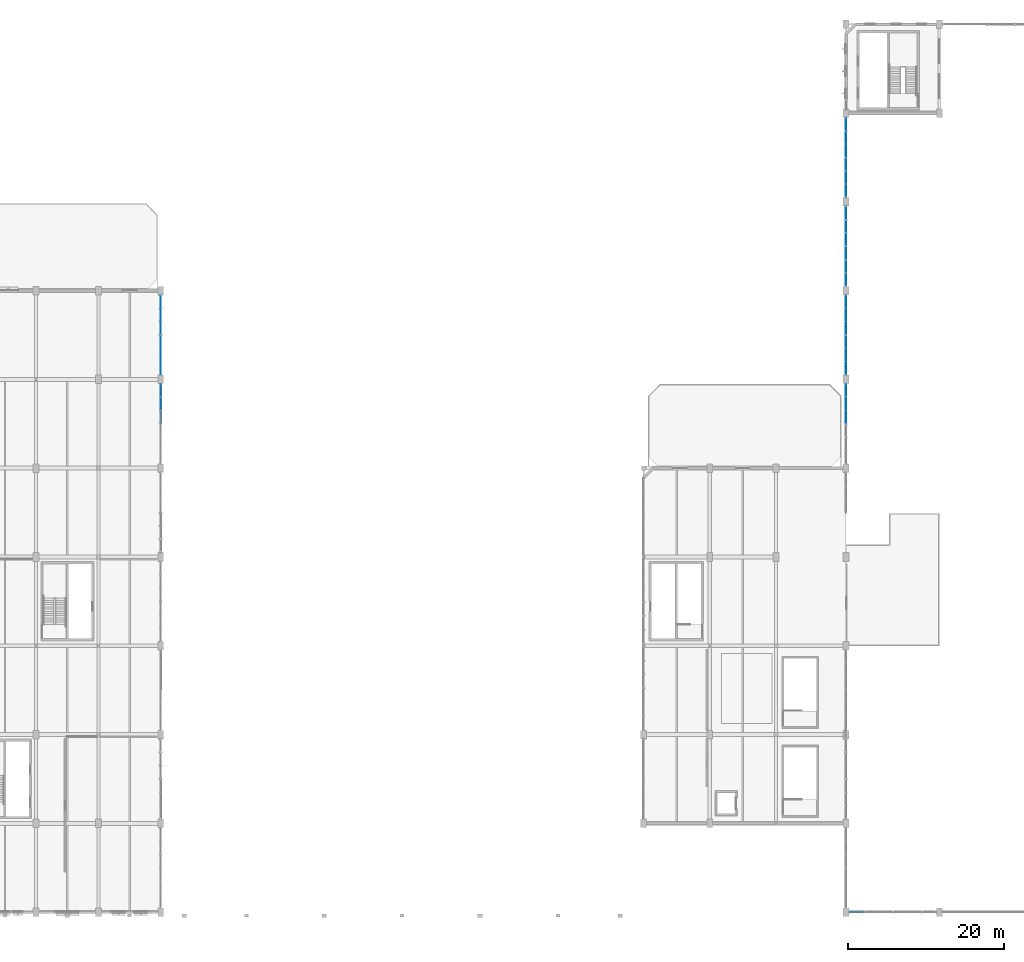
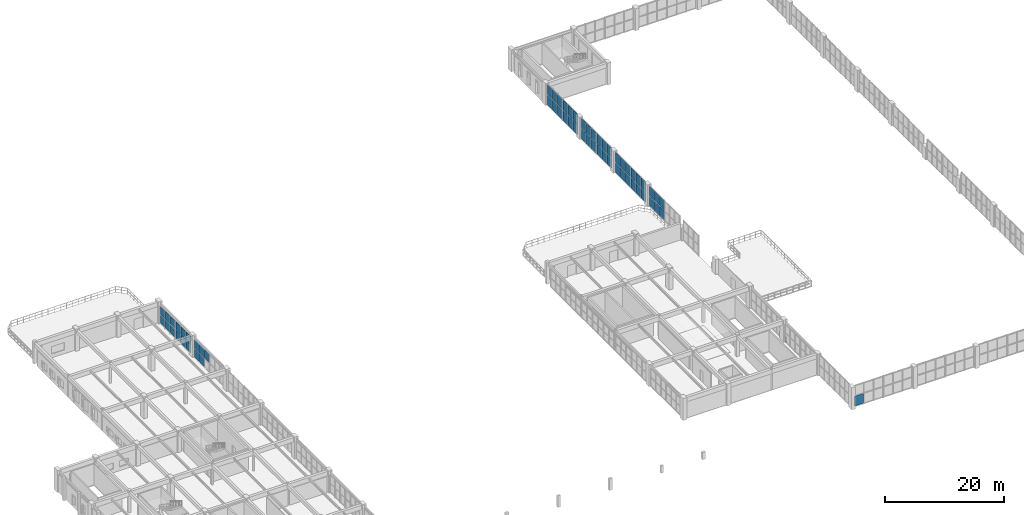
# One storey, part 57 of 80: 60 plates, 11 elements without a shape of their own.
"""IFC4 building model written with IfcOpenShell, lengths in metres."""

import ifcopenshell
import ifcopenshell.guid

model = None  # the IFC model being written
_history = None  # IfcOwnerHistory: only IFC2X3 demands one
_inside = {}  # id of a spatial element -> (the spatial element, [elements in it])
_under = {}  # id of a project, library or spatial element -> (it, [spatial elements below it])
_declared = {}  # id of a project -> (the project, [libraries it declares])
_typed = {}  # id of a type object -> (the type object, [elements of that type])
_made_of = {}  # id of a material, layer set ... -> (it, [elements and type objects made of it])


def new_model(schema):
    """Start an empty IFC model of exactly this schema.

    Asked for "IFC4X3", IfcOpenShell would pick the latest addendum, in which some entities
    have other attributes; the version numbers below select the first issue.
    IFC2X3 requires an IfcOwnerHistory on every rooted entity: one is made here for all.
    """
    global model, _history
    if schema == "IFC4X3":
        model = ifcopenshell.file(schema_version=(4, 3, 0, 0))
    else:
        model = ifcopenshell.file(schema=schema)
    _inside.clear()
    _under.clear()
    _declared.clear()
    _typed.clear()
    _made_of.clear()
    _history = None
    if model.schema == "IFC2X3":
        org = make("IfcOrganization", Name="unknown")
        user = make(
            "IfcPersonAndOrganization",
            ThePerson=make("IfcPerson", FamilyName="unknown"),
            TheOrganization=org,
        )
        app = make(
            "IfcApplication",
            ApplicationDeveloper=org,
            Version="unknown",
            ApplicationFullName="unknown",
            ApplicationIdentifier="unknown",
        )
        _history = make(
            "IfcOwnerHistory",
            OwningUser=user,
            OwningApplication=app,
            ChangeAction="ADDED",
            CreationDate=0,
        )
    return model


def make(cls, **values):
    """One entity of the class cls with the attributes given. An attribute that is None is left unset."""
    return model.create_entity(
        cls, **{name: value for name, value in values.items() if value is not None}
    )


def rooted(cls, **values):
    """An entity with a GlobalId (a new one), such as an element, a storey or a relation."""
    return make(cls, GlobalId=ifcopenshell.guid.new(), OwnerHistory=_history, **values)


def si_unit(unit_type, name, prefix=None):
    """IfcSIUnit, for example si_unit("LENGTHUNIT", "METRE", prefix="MILLI")."""
    return make("IfcSIUnit", UnitType=unit_type, Prefix=prefix, Name=name)


def assignment(units):
    """IfcUnitAssignment: the units of a project."""
    return None if units is None else make("IfcUnitAssignment", Units=units)


def point(xyz):
    """IfcCartesianPoint."""
    return None if xyz is None else make("IfcCartesianPoint", Coordinates=xyz)


def direction(xyz):
    """IfcDirection."""
    return None if xyz is None else make("IfcDirection", DirectionRatios=xyz)


def frame(location, z_axis=None, x_axis=None):
    """IfcAxis2Placement3D, a coordinate frame: its origin and axes. An axis left out is left unset."""
    return make(
        "IfcAxis2Placement3D",
        Location=point(location),
        Axis=direction(z_axis),
        RefDirection=direction(x_axis),
    )


def frame_2d(location, x_axis=None):
    """IfcAxis2Placement2D, a coordinate frame in the plane: its origin and x axis."""
    return make(
        "IfcAxis2Placement2D", Location=point(location), RefDirection=direction(x_axis)
    )


def origin():
    """The frame at (0, 0, 0) with its axes left unset."""
    return frame((0.0, 0.0, 0.0))


def origin_2d():
    """The frame at (0, 0) in the plane with its x axis left unset."""
    return frame_2d((0.0, 0.0))


def place(relative_to, where):
    """IfcLocalPlacement: puts the frame where relative to a parent placement (None: the world)."""
    return make(
        "IfcLocalPlacement", PlacementRelTo=relative_to, RelativePlacement=where
    )


def context(
    kind, dimensions, precision=None, world=None, true_north=None, identifier=None
):
    """IfcGeometricRepresentationContext, for example the 3D "Model" context."""
    return make(
        "IfcGeometricRepresentationContext",
        ContextIdentifier=identifier,
        ContextType=kind,
        CoordinateSpaceDimension=dimensions,
        Precision=precision,
        WorldCoordinateSystem=world,
        TrueNorth=true_north,
    )


def subcontext(parent, identifier, kind, view, scale=None):
    """IfcGeometricRepresentationSubContext, for example "Body" below "Model"."""
    return make(
        "IfcGeometricRepresentationSubContext",
        ContextIdentifier=identifier,
        ContextType=kind,
        ParentContext=parent,
        TargetScale=scale,
        TargetView=view,
    )


def project(units=None, contexts=None):
    """IfcProject with its units and contexts."""
    return rooted(
        "IfcProject",
        Name="project",
        RepresentationContexts=contexts,
        UnitsInContext=assignment(units),
    )


def spatial(cls, under=None, at=None, **own):
    """A site, building, storey or space (cls), placed at a placement, below another one or the project."""
    s = rooted(cls, ObjectPlacement=at, **own)
    if under is not None:
        _under.setdefault(under.id(), (under, []))[1].append(s)
    return s


def profile(cls, at=None, kind="AREA", **sizes):
    """A parametric profile (cls). Its sizes go by their IFC names, for example OverallWidth=200.0."""
    return make(cls, ProfileType=kind, Position=at, **sizes)


def rectangle(**sizes):
    """IfcRectangleProfileDef."""
    return profile("IfcRectangleProfileDef", **sizes)


def extrude(swept, where, along, depth):
    """IfcExtrudedAreaSolid: the profile swept, set in the frame where, extruded along a direction by depth."""
    return make(
        "IfcExtrudedAreaSolid",
        SweptArea=swept,
        Position=where,
        ExtrudedDirection=direction(along),
        Depth=depth,
    )


def shape(context_of_items, identifier, shape_type, items):
    """IfcShapeRepresentation: the items that make up one representation, for example the "Body"."""
    return make(
        "IfcShapeRepresentation",
        ContextOfItems=context_of_items,
        RepresentationIdentifier=identifier,
        RepresentationType=shape_type,
        Items=items,
    )


def material(Name=None, Category=None):
    """IfcMaterial."""
    return make("IfcMaterial", Name=Name, Category=Category)


def layer(
    of_material, thickness, ventilated=None, Name=None, Category=None, Priority=None
):
    """IfcMaterialLayer: one layer of a wall or slab, of a material (None: an air gap)."""
    return make(
        "IfcMaterialLayer",
        Material=of_material,
        LayerThickness=thickness,
        IsVentilated=ventilated,
        Name=Name,
        Category=Category,
        Priority=Priority,
    )


def layer_set(layers, Name=None):
    """IfcMaterialLayerSet."""
    return make("IfcMaterialLayerSet", MaterialLayers=layers, LayerSetName=Name)


def made_of(thing, what):
    """Note that an element or type object is made of a material, layer set ...; save() writes the relation."""
    if what is not None:
        _made_of.setdefault(what.id(), (what, []))[1].append(thing)
    return thing


def type_object(cls, material=None, **own):
    """A type object (cls), such as IfcWallType, which elements share."""
    return made_of(rooted(cls, **own), material)


def element(
    cls,
    number,
    at=None,
    inside=None,
    cuts=None,
    type_object=None,
    material=None,
    context=None,
    identifier="Body",
    shape_type=None,
    held_by="IfcProductDefinitionShape",
    body=None,
    shapes=None,
    **own,
):
    """One element of the class cls, such as IfcWall. Its Tag is "e" and its number.

    at: its placement. inside: the storey or other place that contains it. cuts: it is an
    opening in that element (IfcRelVoidsElement). A single representation is given by context,
    identifier, shape_type and body (its items); several are given by shapes. held_by: the class
    of the entity that holds the representations. save() writes the other relations.
    """
    e = rooted(cls, Tag="e%d" % number, ObjectPlacement=at, **own)
    if body is not None:
        shapes = [shape(context, identifier, shape_type, body)]
    if shapes is not None:
        e.Representation = make(held_by, Representations=shapes)
    if inside is not None:
        _inside.setdefault(inside.id(), (inside, []))[1].append(e)
    if cuts is not None:
        rooted(
            "IfcRelVoidsElement", RelatingBuildingElement=cuts, RelatedOpeningElement=e
        )
    if type_object is not None:
        _typed.setdefault(type_object.id(), (type_object, []))[1].append(e)
    return made_of(e, material)


def aggregate(whole, parts):
    """IfcRelAggregates: a whole, such as a stair, and the parts it consists of."""
    return rooted("IfcRelAggregates", RelatingObject=whole, RelatedObjects=parts)


def save(model, path):
    """Write the relations noted so far, then the file.

    IfcRelAggregates (storeys below a building ...), IfcRelContainedInSpatialStructure (elements
    in a storey), IfcRelDefinesByType, IfcRelAssociatesMaterial and IfcRelDeclares: one each for
    every whole, place, type object, material and project.
    """
    for whole, parts in _under.values():
        aggregate(whole, parts)
    for where, things in _inside.values():
        rooted(
            "IfcRelContainedInSpatialStructure",
            RelatedElements=things,
            RelatingStructure=where,
        )
    for kind, things in _typed.values():
        rooted("IfcRelDefinesByType", RelatedObjects=things, RelatingType=kind)
    for what, things in _made_of.values():
        rooted("IfcRelAssociatesMaterial", RelatedObjects=things, RelatingMaterial=what)
    for by, libraries in _declared.values():
        rooted("IfcRelDeclares", RelatingContext=by, RelatedDefinitions=libraries)
    model.write(path)


model = new_model("IFC4")

# Units and contexts
model_context = context("Model", 3, precision=1e-05, world=origin(), true_north=direction((0.0, 1.0)))
body_context = subcontext(model_context, "Body", "Model", "MODEL_VIEW")
ifc_project = project(units=[si_unit("LENGTHUNIT", "METRE"), si_unit("AREAUNIT", "SQUARE_METRE"), si_unit("VOLUMEUNIT", "CUBIC_METRE"), si_unit("PLANEANGLEUNIT", "RADIAN"), si_unit("MASSUNIT", "GRAM", prefix="KILO"), si_unit("POWERUNIT", "WATT"), si_unit("THERMODYNAMICTEMPERATUREUNIT", "KELVIN")], contexts=[model_context])

# Site, building, storey
site_placement = place(None, origin())
site = spatial("IfcSite", under=ifc_project, at=site_placement, CompositionType="ELEMENT")
building_placement = place(site_placement, origin())
building = spatial("IfcBuilding", under=site, at=building_placement, Name="Kelmbourne Parkland Aquatics Centre", CompositionType="ELEMENT")
storey_placement = place(building_placement, frame((0.0, 0.0, 10.199951171875)))
storey = spatial("IfcBuildingStorey", under=building, at=storey_placement, Name="L02", CompositionType="ELEMENT", Elevation=10.199951171875)

# Curtain wall, plates
ifc_material_1 = material(Name="Thermally broken anodised aluminium framing", Category="aluminium")
ifc_layer_1 = layer(ifc_material_1, 0.179931640625)
ifc_layer_set_1 = layer_set([ifc_layer_1], Name="Thermally broken anodised aluminium framing")
curtain_wall_type_1 = type_object("IfcCurtainWallType", Name="CW-08", PredefinedType="NOTDEFINED", material=ifc_layer_set_1)
curtain_wall_1_placement = place(storey_placement, origin())
curtain_wall_1 = element("IfcCurtainWall", 1, at=curtain_wall_1_placement, inside=storey, type_object=curtain_wall_type_1, Name="Wave-hall clerestory curtain wall CW-L02-056", PredefinedType="NOTDEFINED")
ifc_material_2 = material(Name="Double-glazed low-e laminated safety glass", Category="glass")
ifc_layer_2 = layer(ifc_material_2, 0.0419921875)
ifc_layer_set_2 = layer_set([ifc_layer_2], Name="Double-glazed low-e laminated safety glass")
plate_type_1 = type_object("IfcPlateType", Name="PL-CLR-1", PredefinedType="USERDEFINED", material=ifc_layer_set_2)
plate_1_placement = place(storey_placement, frame((128.0, 64.383056640625, 2.30908203125), z_axis=(0.0, 0.0, 1.0), x_axis=(0.0, 1.0, 0.0)))
plate_1 = element("IfcPlate", 2, at=plate_1_placement, type_object=plate_type_1, Name="CW-L02-056 clerestory glazing 1-0", ObjectType="CLERESTORY GLAZING", PredefinedType="USERDEFINED", context=body_context, shape_type="SweptSolid", body=[
    extrude(rectangle(XDim=1.6279296875, YDim=0.0419921875, at=origin_2d()), origin(), (0.0, 0.0, 1.0), 1.964111328125),
])
plate_2_placement = place(storey_placement, frame((128.0, 66.073974609375, 2.30908203125), z_axis=(0.0, 0.0, 1.0), x_axis=(0.0, 1.0, 0.0)))
plate_2 = element("IfcPlate", 3, at=plate_2_placement, type_object=plate_type_1, Name="CW-L02-056 clerestory glazing 1-1", ObjectType="CLERESTORY GLAZING", PredefinedType="USERDEFINED", context=body_context, shape_type="SweptSolid", body=[
    extrude(rectangle(XDim=1.6279296875, YDim=0.0419921875, at=origin_2d()), origin(), (0.0, 0.0, 1.0), 1.964111328125),
])
plate_3_placement = place(storey_placement, frame((128.0, 67.764892578125, 2.30908203125), z_axis=(0.0, 0.0, 1.0), x_axis=(0.0, 1.0, 0.0)))
plate_3 = element("IfcPlate", 4, at=plate_3_placement, type_object=plate_type_1, Name="CW-L02-056 clerestory glazing 1-2", ObjectType="CLERESTORY GLAZING", PredefinedType="USERDEFINED", context=body_context, shape_type="SweptSolid", body=[
    extrude(rectangle(XDim=1.6279296875, YDim=0.0419921875, at=origin_2d()), origin(), (0.0, 0.0, 1.0), 1.964111328125),
])

ifc_layer_3 = layer(ifc_material_1, 0.179931640625)
ifc_layer_set_3 = layer_set([ifc_layer_3], Name="Thermally broken anodised aluminium framing")
curtain_wall_type_2 = type_object("IfcCurtainWallType", Name="CW-14", PredefinedType="NOTDEFINED", material=ifc_layer_set_3)
curtain_wall_2_placement = place(storey_placement, origin())
curtain_wall_2 = element("IfcCurtainWall", 5, at=curtain_wall_2_placement, inside=storey, type_object=curtain_wall_type_2, Name="Wave-hall clerestory curtain wall CW-L02-062", PredefinedType="NOTDEFINED")
plate_4_placement = place(storey_placement, frame((128.0, 70.63818359375, 2.30908203125), z_axis=(0.0, 0.0, 1.0), x_axis=(0.0, 1.0, 0.0)))
plate_4 = element("IfcPlate", 6, at=plate_4_placement, type_object=plate_type_1, Name="CW-L02-062 clerestory glazing 1-0", ObjectType="CLERESTORY GLAZING", PredefinedType="USERDEFINED", context=body_context, shape_type="SweptSolid", body=[
    extrude(rectangle(XDim=1.61474609375, YDim=0.0419921875, at=origin_2d()), origin(), (0.0, 0.0, 1.0), 1.964111328125),
])
plate_5_placement = place(storey_placement, frame((128.0, 72.325927734375, 2.30908203125), z_axis=(0.0, 0.0, 1.0), x_axis=(0.0, 1.0, 0.0)))
plate_5 = element("IfcPlate", 7, at=plate_5_placement, type_object=plate_type_1, Name="CW-L02-062 clerestory glazing 1-1", ObjectType="CLERESTORY GLAZING", PredefinedType="USERDEFINED", context=body_context, shape_type="SweptSolid", body=[
    extrude(rectangle(XDim=1.614501953125, YDim=0.0419921875, at=origin_2d()), origin(), (0.0, 0.0, 1.0), 1.964111328125),
])
plate_6_placement = place(storey_placement, frame((128.0, 74.013671875, 2.30908203125), z_axis=(0.0, 0.0, 1.0), x_axis=(0.0, 1.0, 0.0)))
plate_6 = element("IfcPlate", 8, at=plate_6_placement, type_object=plate_type_1, Name="CW-L02-062 clerestory glazing 1-2", ObjectType="CLERESTORY GLAZING", PredefinedType="USERDEFINED", context=body_context, shape_type="SweptSolid", body=[
    extrude(rectangle(XDim=1.61474609375, YDim=0.0419921875, at=origin_2d()), origin(), (0.0, 0.0, 1.0), 1.964111328125),
])

ifc_layer_4 = layer(ifc_material_1, 0.179931640625)
ifc_layer_set_4 = layer_set([ifc_layer_4], Name="Thermally broken anodised aluminium framing")
curtain_wall_type_3 = type_object("IfcCurtainWallType", Name="CW-19", PredefinedType="NOTDEFINED", material=ifc_layer_set_4)
curtain_wall_3_placement = place(storey_placement, origin())
curtain_wall_3 = element("IfcCurtainWall", 9, at=curtain_wall_3_placement, inside=storey, type_object=curtain_wall_type_3, Name="Wave-hall clerestory curtain wall CW-L02-067", PredefinedType="NOTDEFINED")
plate_7_placement = place(storey_placement, frame((128.0, 75.786376953125, 2.2939453125), z_axis=(0.0, 0.0, 1.0), x_axis=(0.0, 1.0, 0.0)))
plate_7 = element("IfcPlate", 10, at=plate_7_placement, type_object=plate_type_1, Name="CW-L02-067 clerestory glazing 1-0", ObjectType="CLERESTORY GLAZING", PredefinedType="USERDEFINED", context=body_context, shape_type="SweptSolid", body=[
    extrude(rectangle(XDim=1.61474609375, YDim=0.0419921875, at=origin_2d()), origin(), (0.0, 0.0, 1.0), 2.009033203125),
])
plate_8_placement = place(storey_placement, frame((128.0, 77.47412109375, 2.2939453125), z_axis=(0.0, 0.0, 1.0), x_axis=(0.0, 1.0, 0.0)))
plate_8 = element("IfcPlate", 11, at=plate_8_placement, type_object=plate_type_1, Name="CW-L02-067 clerestory glazing 1-1", ObjectType="CLERESTORY GLAZING", PredefinedType="USERDEFINED", context=body_context, shape_type="SweptSolid", body=[
    extrude(rectangle(XDim=1.614501953125, YDim=0.0419921875, at=origin_2d()), origin(), (0.0, 0.0, 1.0), 2.009033203125),
])
plate_9_placement = place(storey_placement, frame((128.0, 79.16162109375, 2.2939453125), z_axis=(0.0, 0.0, 1.0), x_axis=(0.0, 1.0, 0.0)))
plate_9 = element("IfcPlate", 12, at=plate_9_placement, type_object=plate_type_1, Name="CW-L02-067 clerestory glazing 1-2", ObjectType="CLERESTORY GLAZING", PredefinedType="USERDEFINED", context=body_context, shape_type="SweptSolid", body=[
    extrude(rectangle(XDim=1.61474609375, YDim=0.0419921875, at=origin_2d()), origin(), (0.0, 0.0, 1.0), 2.009033203125),
])

ifc_layer_5 = layer(ifc_material_1, 0.179931640625)
ifc_layer_set_5 = layer_set([ifc_layer_5], Name="Thermally broken anodised aluminium framing")
curtain_wall_type_4 = type_object("IfcCurtainWallType", Name="CW-24", PredefinedType="NOTDEFINED", material=ifc_layer_set_5)
curtain_wall_4_placement = place(storey_placement, origin())
curtain_wall_4 = element("IfcCurtainWall", 13, at=curtain_wall_4_placement, inside=storey, type_object=curtain_wall_type_4, Name="Wave-hall clerestory curtain wall CW-L02-072", PredefinedType="NOTDEFINED")
plate_10_placement = place(storey_placement, frame((128.0, 82.038330078125, 2.279296875), z_axis=(0.0, 0.0, 1.0), x_axis=(0.0, 1.0, 0.0)))
plate_10 = element("IfcPlate", 14, at=plate_10_placement, type_object=plate_type_1, Name="CW-L02-072 clerestory glazing 1-0", ObjectType="CLERESTORY GLAZING", PredefinedType="USERDEFINED", context=body_context, shape_type="SweptSolid", body=[
    extrude(rectangle(XDim=1.61474609375, YDim=0.0419921875, at=origin_2d()), origin(), (0.0, 0.0, 1.0), 2.053955078125),
])
plate_11_placement = place(storey_placement, frame((128.0, 83.72607421875, 2.279296875), z_axis=(0.0, 0.0, 1.0), x_axis=(0.0, 1.0, 0.0)))
plate_11 = element("IfcPlate", 15, at=plate_11_placement, type_object=plate_type_1, Name="CW-L02-072 clerestory glazing 1-1", ObjectType="CLERESTORY GLAZING", PredefinedType="USERDEFINED", context=body_context, shape_type="SweptSolid", body=[
    extrude(rectangle(XDim=1.614501953125, YDim=0.0419921875, at=origin_2d()), origin(), (0.0, 0.0, 1.0), 2.053955078125),
])
plate_12_placement = place(storey_placement, frame((128.0, 85.413818359375, 2.279296875), z_axis=(0.0, 0.0, 1.0), x_axis=(0.0, 1.0, 0.0)))
plate_12 = element("IfcPlate", 16, at=plate_12_placement, type_object=plate_type_1, Name="CW-L02-072 clerestory glazing 1-2", ObjectType="CLERESTORY GLAZING", PredefinedType="USERDEFINED", context=body_context, shape_type="SweptSolid", body=[
    extrude(rectangle(XDim=1.61474609375, YDim=0.0419921875, at=origin_2d()), origin(), (0.0, 0.0, 1.0), 2.053955078125),
])

ifc_layer_6 = layer(ifc_material_1, 0.179931640625)
ifc_layer_set_6 = layer_set([ifc_layer_6], Name="Thermally broken anodised aluminium framing")
curtain_wall_type_5 = type_object("IfcCurtainWallType", Name="CW-06", PredefinedType="NOTDEFINED", material=ifc_layer_set_6)
curtain_wall_5_placement = place(storey_placement, origin())
curtain_wall_5 = element("IfcCurtainWall", 17, at=curtain_wall_5_placement, inside=storey, type_object=curtain_wall_type_5, Name="Wave-hall clerestory curtain wall CW-L02-078", PredefinedType="NOTDEFINED")
plate_13_placement = place(storey_placement, frame((128.0, 87.189697265625, 2.279296875), z_axis=(0.0, 0.0, 1.0), x_axis=(0.0, 1.0, 0.0)))
plate_13 = element("IfcPlate", 18, at=plate_13_placement, type_object=plate_type_1, Name="CW-L02-078 clerestory glazing 1-0", ObjectType="CLERESTORY GLAZING", PredefinedType="USERDEFINED", context=body_context, shape_type="SweptSolid", body=[
    extrude(rectangle(XDim=1.601318359375, YDim=0.0419921875, at=origin_2d()), origin(), (0.0, 0.0, 1.0), 2.053955078125),
])
plate_14_placement = place(storey_placement, frame((128.0, 88.8740234375, 2.279296875), z_axis=(0.0, 0.0, 1.0), x_axis=(0.0, 1.0, 0.0)))
plate_14 = element("IfcPlate", 19, at=plate_14_placement, type_object=plate_type_1, Name="CW-L02-078 clerestory glazing 1-1", ObjectType="CLERESTORY GLAZING", PredefinedType="USERDEFINED", context=body_context, shape_type="SweptSolid", body=[
    extrude(rectangle(XDim=1.601318359375, YDim=0.0419921875, at=origin_2d()), origin(), (0.0, 0.0, 1.0), 2.053955078125),
])
plate_15_placement = place(storey_placement, frame((128.0, 90.558349609375, 2.279296875), z_axis=(0.0, 0.0, 1.0), x_axis=(0.0, 1.0, 0.0)))
plate_15 = element("IfcPlate", 20, at=plate_15_placement, type_object=plate_type_1, Name="CW-L02-078 clerestory glazing 1-2", ObjectType="CLERESTORY GLAZING", PredefinedType="USERDEFINED", context=body_context, shape_type="SweptSolid", body=[
    extrude(rectangle(XDim=1.601318359375, YDim=0.0419921875, at=origin_2d()), origin(), (0.0, 0.0, 1.0), 2.053955078125),
])

ifc_layer_7 = layer(ifc_material_1, 0.179931640625)
ifc_layer_set_7 = layer_set([ifc_layer_7], Name="Thermally broken anodised aluminium framing")
curtain_wall_type_6 = type_object("IfcCurtainWallType", Name="CW-15", PredefinedType="NOTDEFINED", material=ifc_layer_set_7)
curtain_wall_6_placement = place(storey_placement, origin())
curtain_wall_6 = element("IfcCurtainWall", 21, at=curtain_wall_6_placement, inside=storey, type_object=curtain_wall_type_6, Name="Wave-hall clerestory curtain wall CW-L02-087", PredefinedType="NOTDEFINED")
plate_16_placement = place(storey_placement, frame((128.0, 93.438232421875, 2.279296875), z_axis=(0.0, 0.0, 1.0), x_axis=(0.0, 1.0, 0.0)))
plate_16 = element("IfcPlate", 22, at=plate_16_placement, type_object=plate_type_1, Name="CW-L02-087 clerestory glazing 1-0", ObjectType="CLERESTORY GLAZING", PredefinedType="USERDEFINED", context=body_context, shape_type="SweptSolid", body=[
    extrude(rectangle(XDim=1.61474609375, YDim=0.0419921875, at=origin_2d()), origin(), (0.0, 0.0, 1.0), 2.053955078125),
])
plate_17_placement = place(storey_placement, frame((128.0, 95.1259765625, 2.279296875), z_axis=(0.0, 0.0, 1.0), x_axis=(0.0, 1.0, 0.0)))
plate_17 = element("IfcPlate", 23, at=plate_17_placement, type_object=plate_type_1, Name="CW-L02-087 clerestory glazing 1-1", ObjectType="CLERESTORY GLAZING", PredefinedType="USERDEFINED", context=body_context, shape_type="SweptSolid", body=[
    extrude(rectangle(XDim=1.614501953125, YDim=0.0419921875, at=origin_2d()), origin(), (0.0, 0.0, 1.0), 2.053955078125),
])
plate_18_placement = place(storey_placement, frame((128.0, 96.813720703125, 2.279296875), z_axis=(0.0, 0.0, 1.0), x_axis=(0.0, 1.0, 0.0)))
plate_18 = element("IfcPlate", 24, at=plate_18_placement, type_object=plate_type_1, Name="CW-L02-087 clerestory glazing 1-2", ObjectType="CLERESTORY GLAZING", PredefinedType="USERDEFINED", context=body_context, shape_type="SweptSolid", body=[
    extrude(rectangle(XDim=1.61474609375, YDim=0.0419921875, at=origin_2d()), origin(), (0.0, 0.0, 1.0), 2.053955078125),
])

ifc_layer_8 = layer(ifc_material_1, 0.179931640625)
ifc_layer_set_8 = layer_set([ifc_layer_8], Name="Thermally broken anodised aluminium framing")
curtain_wall_type_7 = type_object("IfcCurtainWallType", Name="CW-22", PredefinedType="NOTDEFINED", material=ifc_layer_set_8)
curtain_wall_7_placement = place(storey_placement, origin())
curtain_wall_7 = element("IfcCurtainWall", 25, at=curtain_wall_7_placement, inside=storey, type_object=curtain_wall_type_7, Name="Wave-hall clerestory curtain wall CW-L02-094", PredefinedType="NOTDEFINED")
plate_19_placement = place(storey_placement, frame((128.0, 98.593017578125, 2.2939453125), z_axis=(0.0, 0.0, 1.0), x_axis=(0.0, 1.0, 0.0)))
plate_19 = element("IfcPlate", 26, at=plate_19_placement, type_object=plate_type_1, Name="CW-L02-094 clerestory glazing 1-0", ObjectType="CLERESTORY GLAZING", PredefinedType="USERDEFINED", context=body_context, shape_type="SweptSolid", body=[
    extrude(rectangle(XDim=1.587890625, YDim=0.0419921875, at=origin_2d()), origin(), (0.0, 0.0, 1.0), 2.009033203125),
])
plate_20_placement = place(storey_placement, frame((128.0, 100.27392578125, 2.2939453125), z_axis=(0.0, 0.0, 1.0), x_axis=(0.0, 1.0, 0.0)))
plate_20 = element("IfcPlate", 27, at=plate_20_placement, type_object=plate_type_1, Name="CW-L02-094 clerestory glazing 1-1", ObjectType="CLERESTORY GLAZING", PredefinedType="USERDEFINED", context=body_context, shape_type="SweptSolid", body=[
    extrude(rectangle(XDim=1.587890625, YDim=0.0419921875, at=origin_2d()), origin(), (0.0, 0.0, 1.0), 2.009033203125),
])
plate_21_placement = place(storey_placement, frame((128.0, 101.955078125, 2.2939453125), z_axis=(0.0, 0.0, 1.0), x_axis=(0.0, 1.0, 0.0)))
plate_21 = element("IfcPlate", 28, at=plate_21_placement, type_object=plate_type_1, Name="CW-L02-094 clerestory glazing 1-2", ObjectType="CLERESTORY GLAZING", PredefinedType="USERDEFINED", context=body_context, shape_type="SweptSolid", body=[
    extrude(rectangle(XDim=1.587890625, YDim=0.0419921875, at=origin_2d()), origin(), (0.0, 0.0, 1.0), 2.009033203125),
])

# Plate
ifc_layer_9 = layer(ifc_material_2, 0.02392578125)
ifc_layer_set_9 = layer_set([ifc_layer_9], Name="Double-glazed low-e laminated safety glass")
plate_type_2 = type_object("IfcPlateType", Name="PL-CWP-1", PredefinedType="CURTAIN_PANEL", material=ifc_layer_set_9)
plate_22_placement = place(storey_placement, frame((128.0, 82.038330078125, 0.1171875), z_axis=(0.0, 0.0, 1.0), x_axis=(0.0, 1.0, 0.0)))
plate_22 = element("IfcPlate", 29, at=plate_22_placement, type_object=plate_type_2, Name="CW-L02-072 vision glazing 0-0", PredefinedType="CURTAIN_PANEL", context=body_context, shape_type="SweptSolid", body=[
    extrude(rectangle(XDim=1.61474609375, YDim=0.02392578125, at=origin_2d()), origin(), (0.0, 0.0, 1.0), 2.053955078125),
])

plate_23_placement = place(storey_placement, frame((128.0, 83.72607421875, 0.1171875), z_axis=(0.0, 0.0, 1.0), x_axis=(0.0, 1.0, 0.0)))
plate_23 = element("IfcPlate", 30, at=plate_23_placement, type_object=plate_type_2, Name="CW-L02-072 vision glazing 0-1", PredefinedType="CURTAIN_PANEL", context=body_context, shape_type="SweptSolid", body=[
    extrude(rectangle(XDim=1.614501953125, YDim=0.02392578125, at=origin_2d()), origin(), (0.0, 0.0, 1.0), 2.053955078125),
])

plate_24_placement = place(storey_placement, frame((128.0, 85.413818359375, 0.1171875), z_axis=(0.0, 0.0, 1.0), x_axis=(0.0, 1.0, 0.0)))
plate_24 = element("IfcPlate", 31, at=plate_24_placement, type_object=plate_type_2, Name="CW-L02-072 vision glazing 0-2", PredefinedType="CURTAIN_PANEL", context=body_context, shape_type="SweptSolid", body=[
    extrude(rectangle(XDim=1.61474609375, YDim=0.02392578125, at=origin_2d()), origin(), (0.0, 0.0, 1.0), 2.053955078125),
])

aggregate(curtain_wall_4, [plate_22, plate_23, plate_24, plate_10, plate_11, plate_12])

plate_25_placement = place(storey_placement, frame((128.0, 87.189697265625, 0.1171875), z_axis=(0.0, 0.0, 1.0), x_axis=(0.0, 1.0, 0.0)))
plate_25 = element("IfcPlate", 32, at=plate_25_placement, type_object=plate_type_2, Name="CW-L02-078 vision glazing 0-0", PredefinedType="CURTAIN_PANEL", context=body_context, shape_type="SweptSolid", body=[
    extrude(rectangle(XDim=1.601318359375, YDim=0.02392578125, at=origin_2d()), origin(), (0.0, 0.0, 1.0), 2.053955078125),
])

plate_26_placement = place(storey_placement, frame((128.0, 88.8740234375, 0.1171875), z_axis=(0.0, 0.0, 1.0), x_axis=(0.0, 1.0, 0.0)))
plate_26 = element("IfcPlate", 33, at=plate_26_placement, type_object=plate_type_2, Name="CW-L02-078 vision glazing 0-1", PredefinedType="CURTAIN_PANEL", context=body_context, shape_type="SweptSolid", body=[
    extrude(rectangle(XDim=1.601318359375, YDim=0.02392578125, at=origin_2d()), origin(), (0.0, 0.0, 1.0), 2.053955078125),
])

plate_27_placement = place(storey_placement, frame((128.0, 90.558349609375, 0.1171875), z_axis=(0.0, 0.0, 1.0), x_axis=(0.0, 1.0, 0.0)))
plate_27 = element("IfcPlate", 34, at=plate_27_placement, type_object=plate_type_2, Name="CW-L02-078 vision glazing 0-2", PredefinedType="CURTAIN_PANEL", context=body_context, shape_type="SweptSolid", body=[
    extrude(rectangle(XDim=1.601318359375, YDim=0.02392578125, at=origin_2d()), origin(), (0.0, 0.0, 1.0), 2.053955078125),
])

aggregate(curtain_wall_5, [plate_25, plate_26, plate_27, plate_13, plate_14, plate_15])

plate_28_placement = place(storey_placement, frame((128.0, 93.438232421875, 0.1171875), z_axis=(0.0, 0.0, 1.0), x_axis=(0.0, 1.0, 0.0)))
plate_28 = element("IfcPlate", 35, at=plate_28_placement, type_object=plate_type_2, Name="CW-L02-087 vision glazing 0-0", PredefinedType="CURTAIN_PANEL", context=body_context, shape_type="SweptSolid", body=[
    extrude(rectangle(XDim=1.61474609375, YDim=0.02392578125, at=origin_2d()), origin(), (0.0, 0.0, 1.0), 2.053955078125),
])

plate_29_placement = place(storey_placement, frame((128.0, 95.1259765625, 0.1171875), z_axis=(0.0, 0.0, 1.0), x_axis=(0.0, 1.0, 0.0)))
plate_29 = element("IfcPlate", 36, at=plate_29_placement, type_object=plate_type_2, Name="CW-L02-087 vision glazing 0-1", PredefinedType="CURTAIN_PANEL", context=body_context, shape_type="SweptSolid", body=[
    extrude(rectangle(XDim=1.614501953125, YDim=0.02392578125, at=origin_2d()), origin(), (0.0, 0.0, 1.0), 2.053955078125),
])

plate_30_placement = place(storey_placement, frame((128.0, 96.813720703125, 0.1171875), z_axis=(0.0, 0.0, 1.0), x_axis=(0.0, 1.0, 0.0)))
plate_30 = element("IfcPlate", 37, at=plate_30_placement, type_object=plate_type_2, Name="CW-L02-087 vision glazing 0-2", PredefinedType="CURTAIN_PANEL", context=body_context, shape_type="SweptSolid", body=[
    extrude(rectangle(XDim=1.61474609375, YDim=0.02392578125, at=origin_2d()), origin(), (0.0, 0.0, 1.0), 2.053955078125),
])

aggregate(curtain_wall_6, [plate_28, plate_29, plate_30, plate_16, plate_17, plate_18])

# Curtain wall, plates
ifc_layer_10 = layer(ifc_material_1, 0.179931640625)
ifc_layer_set_10 = layer_set([ifc_layer_10], Name="Thermally broken anodised aluminium framing")
curtain_wall_type_8 = type_object("IfcCurtainWallType", Name="CW-12", PredefinedType="NOTDEFINED", material=ifc_layer_set_10)
curtain_wall_8_placement = place(storey_placement, origin())
curtain_wall_8 = element("IfcCurtainWall", 38, at=curtain_wall_8_placement, inside=storey, type_object=curtain_wall_type_8, Name="Facade curtain wall CW-L02-252", PredefinedType="NOTDEFINED")
plate_31_placement = place(storey_placement, frame((40.0, 66.073974609375, 0.116943359375), z_axis=(0.0, 0.0, 1.0), x_axis=(0.0, 1.0, 0.0)))
plate_31 = element("IfcPlate", 39, at=plate_31_placement, type_object=plate_type_2, Name="CW-L02-252 vision glazing 0-1", PredefinedType="CURTAIN_PANEL", context=body_context, shape_type="SweptSolid", body=[
    extrude(rectangle(XDim=1.614501953125, YDim=0.02392578125, at=origin_2d()), origin(), (0.0, 0.0, 1.0), 1.68505859375),
])
plate_32_placement = place(storey_placement, frame((40.0, 67.76171875, 0.116943359375), z_axis=(0.0, 0.0, 1.0), x_axis=(0.0, 1.0, 0.0)))
plate_32 = element("IfcPlate", 40, at=plate_32_placement, type_object=plate_type_2, Name="CW-L02-252 vision glazing 0-2", PredefinedType="CURTAIN_PANEL", context=body_context, shape_type="SweptSolid", body=[
    extrude(rectangle(XDim=1.61474609375, YDim=0.02392578125, at=origin_2d()), origin(), (0.0, 0.0, 1.0), 1.68505859375),
])

curtain_wall_9_placement = place(storey_placement, origin())
curtain_wall_9 = element("IfcCurtainWall", 41, at=curtain_wall_9_placement, inside=storey, type_object=curtain_wall_type_2, Name="Facade curtain wall CW-L02-254", PredefinedType="NOTDEFINED")
plate_33_placement = place(storey_placement, frame((40.0, 75.79296875, 1.93994140625), z_axis=(0.0, 0.0, 1.0), x_axis=(0.0, 1.0, 0.0)))
plate_33 = element("IfcPlate", 42, at=plate_33_placement, type_object=plate_type_2, Name="CW-L02-254 vision glazing 1-0", PredefinedType="CURTAIN_PANEL", context=body_context, shape_type="SweptSolid", body=[
    extrude(rectangle(XDim=1.587890625, YDim=0.02392578125, at=origin_2d()), origin(), (0.0, 0.0, 1.0), 1.594970703125),
])
plate_34_placement = place(storey_placement, frame((40.0, 77.47412109375, 1.93994140625), z_axis=(0.0, 0.0, 1.0), x_axis=(0.0, 1.0, 0.0)))
plate_34 = element("IfcPlate", 43, at=plate_34_placement, type_object=plate_type_2, Name="CW-L02-254 vision glazing 1-1", PredefinedType="CURTAIN_PANEL", context=body_context, shape_type="SweptSolid", body=[
    extrude(rectangle(XDim=1.587890625, YDim=0.02392578125, at=origin_2d()), origin(), (0.0, 0.0, 1.0), 1.594970703125),
])
plate_35_placement = place(storey_placement, frame((40.0, 79.155029296875, 1.93994140625), z_axis=(0.0, 0.0, 1.0), x_axis=(0.0, 1.0, 0.0)))
plate_35 = element("IfcPlate", 44, at=plate_35_placement, type_object=plate_type_2, Name="CW-L02-254 vision glazing 1-2", PredefinedType="CURTAIN_PANEL", context=body_context, shape_type="SweptSolid", body=[
    extrude(rectangle(XDim=1.587890625, YDim=0.02392578125, at=origin_2d()), origin(), (0.0, 0.0, 1.0), 1.594970703125),
])

# Plate
ifc_layer_11 = layer(ifc_material_2, 0.035888671875)
ifc_layer_set_11 = layer_set([ifc_layer_11], Name="Double-glazed low-e laminated safety glass")
plate_type_3 = type_object("IfcPlateType", Name="PL-CWP-2", PredefinedType="CURTAIN_PANEL", material=ifc_layer_set_11)
plate_36_placement = place(storey_placement, frame((128.0, 75.786376953125, 0.14697265625), z_axis=(0.0, 0.0, 1.0), x_axis=(0.0, 1.0, 0.0)))
plate_36 = element("IfcPlate", 45, at=plate_36_placement, type_object=plate_type_3, Name="CW-L02-067 vision glazing 0-0", PredefinedType="CURTAIN_PANEL", context=body_context, shape_type="SweptSolid", body=[
    extrude(rectangle(XDim=1.61474609375, YDim=0.035888671875, at=origin_2d()), origin(), (0.0, 0.0, 1.0), 2.009033203125),
])

plate_37_placement = place(storey_placement, frame((128.0, 77.47412109375, 0.14697265625), z_axis=(0.0, 0.0, 1.0), x_axis=(0.0, 1.0, 0.0)))
plate_37 = element("IfcPlate", 46, at=plate_37_placement, type_object=plate_type_3, Name="CW-L02-067 vision glazing 0-1", PredefinedType="CURTAIN_PANEL", context=body_context, shape_type="SweptSolid", body=[
    extrude(rectangle(XDim=1.614501953125, YDim=0.035888671875, at=origin_2d()), origin(), (0.0, 0.0, 1.0), 2.009033203125),
])

plate_38_placement = place(storey_placement, frame((128.0, 79.16162109375, 0.14697265625), z_axis=(0.0, 0.0, 1.0), x_axis=(0.0, 1.0, 0.0)))
plate_38 = element("IfcPlate", 47, at=plate_38_placement, type_object=plate_type_3, Name="CW-L02-067 vision glazing 0-2", PredefinedType="CURTAIN_PANEL", context=body_context, shape_type="SweptSolid", body=[
    extrude(rectangle(XDim=1.61474609375, YDim=0.035888671875, at=origin_2d()), origin(), (0.0, 0.0, 1.0), 2.009033203125),
])

aggregate(curtain_wall_3, [plate_36, plate_37, plate_38, plate_7, plate_8, plate_9])

plate_39_placement = place(storey_placement, frame((128.0, 98.593017578125, 0.14697265625), z_axis=(0.0, 0.0, 1.0), x_axis=(0.0, 1.0, 0.0)))
plate_39 = element("IfcPlate", 48, at=plate_39_placement, type_object=plate_type_3, Name="CW-L02-094 vision glazing 0-0", PredefinedType="CURTAIN_PANEL", context=body_context, shape_type="SweptSolid", body=[
    extrude(rectangle(XDim=1.587890625, YDim=0.035888671875, at=origin_2d()), origin(), (0.0, 0.0, 1.0), 2.009033203125),
])

plate_40_placement = place(storey_placement, frame((128.0, 100.27392578125, 0.14697265625), z_axis=(0.0, 0.0, 1.0), x_axis=(0.0, 1.0, 0.0)))
plate_40 = element("IfcPlate", 49, at=plate_40_placement, type_object=plate_type_3, Name="CW-L02-094 vision glazing 0-1", PredefinedType="CURTAIN_PANEL", context=body_context, shape_type="SweptSolid", body=[
    extrude(rectangle(XDim=1.587890625, YDim=0.035888671875, at=origin_2d()), origin(), (0.0, 0.0, 1.0), 2.009033203125),
])

plate_41_placement = place(storey_placement, frame((128.0, 101.955078125, 0.14697265625), z_axis=(0.0, 0.0, 1.0), x_axis=(0.0, 1.0, 0.0)))
plate_41 = element("IfcPlate", 50, at=plate_41_placement, type_object=plate_type_3, Name="CW-L02-094 vision glazing 0-2", PredefinedType="CURTAIN_PANEL", context=body_context, shape_type="SweptSolid", body=[
    extrude(rectangle(XDim=1.587890625, YDim=0.035888671875, at=origin_2d()), origin(), (0.0, 0.0, 1.0), 2.009033203125),
])

aggregate(curtain_wall_7, [plate_39, plate_40, plate_41, plate_19, plate_20, plate_21])

plate_42_placement = place(storey_placement, frame((40.0, 64.38623046875, 1.909912109375), z_axis=(0.0, 0.0, 1.0), x_axis=(0.0, 1.0, 0.0)))
plate_42 = element("IfcPlate", 51, at=plate_42_placement, type_object=plate_type_3, Name="CW-L02-252 vision glazing 1-0", PredefinedType="CURTAIN_PANEL", context=body_context, shape_type="SweptSolid", body=[
    extrude(rectangle(XDim=1.61474609375, YDim=0.035888671875, at=origin_2d()), origin(), (0.0, 0.0, 1.0), 1.68505859375),
])

plate_43_placement = place(storey_placement, frame((40.0, 66.073974609375, 1.909912109375), z_axis=(0.0, 0.0, 1.0), x_axis=(0.0, 1.0, 0.0)))
plate_43 = element("IfcPlate", 52, at=plate_43_placement, type_object=plate_type_3, Name="CW-L02-252 vision glazing 1-1", PredefinedType="CURTAIN_PANEL", context=body_context, shape_type="SweptSolid", body=[
    extrude(rectangle(XDim=1.614501953125, YDim=0.035888671875, at=origin_2d()), origin(), (0.0, 0.0, 1.0), 1.68505859375),
])

plate_44_placement = place(storey_placement, frame((40.0, 67.76171875, 1.909912109375), z_axis=(0.0, 0.0, 1.0), x_axis=(0.0, 1.0, 0.0)))
plate_44 = element("IfcPlate", 53, at=plate_44_placement, type_object=plate_type_3, Name="CW-L02-252 vision glazing 1-2", PredefinedType="CURTAIN_PANEL", context=body_context, shape_type="SweptSolid", body=[
    extrude(rectangle(XDim=1.61474609375, YDim=0.035888671875, at=origin_2d()), origin(), (0.0, 0.0, 1.0), 1.68505859375),
])

aggregate(curtain_wall_8, [plate_31, plate_32, plate_42, plate_43, plate_44])

# Curtain wall, plates
ifc_layer_12 = layer(ifc_material_1, 0.179931640625)
ifc_layer_set_12 = layer_set([ifc_layer_12], Name="Thermally broken anodised aluminium framing")
curtain_wall_type_9 = type_object("IfcCurtainWallType", Name="CW-13", PredefinedType="NOTDEFINED", material=ifc_layer_set_12)
curtain_wall_10_placement = place(storey_placement, origin())
curtain_wall_10 = element("IfcCurtainWall", 54, at=curtain_wall_10_placement, inside=storey, type_object=curtain_wall_type_9, Name="Facade curtain wall CW-L02-253", PredefinedType="NOTDEFINED")
plate_45_placement = place(storey_placement, frame((40.0, 70.6416015625, 0.14697265625), z_axis=(0.0, 0.0, 1.0), x_axis=(0.0, 1.0, 0.0)))
plate_45 = element("IfcPlate", 55, at=plate_45_placement, type_object=plate_type_3, Name="CW-L02-253 vision glazing 0-0", PredefinedType="CURTAIN_PANEL", context=body_context, shape_type="SweptSolid", body=[
    extrude(rectangle(XDim=1.601318359375, YDim=0.035888671875, at=origin_2d()), origin(), (0.0, 0.0, 1.0), 1.639892578125),
])
plate_46_placement = place(storey_placement, frame((40.0, 72.325927734375, 0.14697265625), z_axis=(0.0, 0.0, 1.0), x_axis=(0.0, 1.0, 0.0)))
plate_46 = element("IfcPlate", 56, at=plate_46_placement, type_object=plate_type_3, Name="CW-L02-253 vision glazing 0-1", PredefinedType="CURTAIN_PANEL", context=body_context, shape_type="SweptSolid", body=[
    extrude(rectangle(XDim=1.601318359375, YDim=0.035888671875, at=origin_2d()), origin(), (0.0, 0.0, 1.0), 1.639892578125),
])
plate_47_placement = place(storey_placement, frame((40.0, 74.01025390625, 0.14697265625), z_axis=(0.0, 0.0, 1.0), x_axis=(0.0, 1.0, 0.0)))
plate_47 = element("IfcPlate", 57, at=plate_47_placement, type_object=plate_type_3, Name="CW-L02-253 vision glazing 0-2", PredefinedType="CURTAIN_PANEL", context=body_context, shape_type="SweptSolid", body=[
    extrude(rectangle(XDim=1.601318359375, YDim=0.035888671875, at=origin_2d()), origin(), (0.0, 0.0, 1.0), 1.639892578125),
])

# Plate
ifc_layer_13 = layer(ifc_material_2, 0.048095703125)
ifc_layer_set_13 = layer_set([ifc_layer_13], Name="Double-glazed low-e laminated safety glass")
plate_type_4 = type_object("IfcPlateType", Name="PL-CWP-3", PredefinedType="CURTAIN_PANEL", material=ifc_layer_set_13)
plate_48_placement = place(storey_placement, frame((128.0, 64.383056640625, 0.1767578125), z_axis=(0.0, 0.0, 1.0), x_axis=(0.0, 1.0, 0.0)))
plate_48 = element("IfcPlate", 58, at=plate_48_placement, type_object=plate_type_4, Name="CW-L02-056 vision glazing 0-0", PredefinedType="CURTAIN_PANEL", context=body_context, shape_type="SweptSolid", body=[
    extrude(rectangle(XDim=1.6279296875, YDim=0.048095703125, at=origin_2d()), origin(), (0.0, 0.0, 1.0), 1.964111328125),
])

plate_49_placement = place(storey_placement, frame((128.0, 66.073974609375, 0.1767578125), z_axis=(0.0, 0.0, 1.0), x_axis=(0.0, 1.0, 0.0)))
plate_49 = element("IfcPlate", 59, at=plate_49_placement, type_object=plate_type_4, Name="CW-L02-056 vision glazing 0-1", PredefinedType="CURTAIN_PANEL", context=body_context, shape_type="SweptSolid", body=[
    extrude(rectangle(XDim=1.6279296875, YDim=0.048095703125, at=origin_2d()), origin(), (0.0, 0.0, 1.0), 1.964111328125),
])

plate_50_placement = place(storey_placement, frame((128.0, 67.764892578125, 0.1767578125), z_axis=(0.0, 0.0, 1.0), x_axis=(0.0, 1.0, 0.0)))
plate_50 = element("IfcPlate", 60, at=plate_50_placement, type_object=plate_type_4, Name="CW-L02-056 vision glazing 0-2", PredefinedType="CURTAIN_PANEL", context=body_context, shape_type="SweptSolid", body=[
    extrude(rectangle(XDim=1.6279296875, YDim=0.048095703125, at=origin_2d()), origin(), (0.0, 0.0, 1.0), 1.964111328125),
])

aggregate(curtain_wall_1, [plate_48, plate_49, plate_50, plate_1, plate_2, plate_3])

plate_51_placement = place(storey_placement, frame((128.0, 70.63818359375, 0.1767578125), z_axis=(0.0, 0.0, 1.0), x_axis=(0.0, 1.0, 0.0)))
plate_51 = element("IfcPlate", 61, at=plate_51_placement, type_object=plate_type_4, Name="CW-L02-062 vision glazing 0-0", PredefinedType="CURTAIN_PANEL", context=body_context, shape_type="SweptSolid", body=[
    extrude(rectangle(XDim=1.61474609375, YDim=0.048095703125, at=origin_2d()), origin(), (0.0, 0.0, 1.0), 1.964111328125),
])

plate_52_placement = place(storey_placement, frame((128.0, 72.325927734375, 0.1767578125), z_axis=(0.0, 0.0, 1.0), x_axis=(0.0, 1.0, 0.0)))
plate_52 = element("IfcPlate", 62, at=plate_52_placement, type_object=plate_type_4, Name="CW-L02-062 vision glazing 0-1", PredefinedType="CURTAIN_PANEL", context=body_context, shape_type="SweptSolid", body=[
    extrude(rectangle(XDim=1.614501953125, YDim=0.048095703125, at=origin_2d()), origin(), (0.0, 0.0, 1.0), 1.964111328125),
])

plate_53_placement = place(storey_placement, frame((128.0, 74.013671875, 0.1767578125), z_axis=(0.0, 0.0, 1.0), x_axis=(0.0, 1.0, 0.0)))
plate_53 = element("IfcPlate", 63, at=plate_53_placement, type_object=plate_type_4, Name="CW-L02-062 vision glazing 0-2", PredefinedType="CURTAIN_PANEL", context=body_context, shape_type="SweptSolid", body=[
    extrude(rectangle(XDim=1.61474609375, YDim=0.048095703125, at=origin_2d()), origin(), (0.0, 0.0, 1.0), 1.964111328125),
])

aggregate(curtain_wall_2, [plate_51, plate_52, plate_53, plate_4, plate_5, plate_6])

# Curtain wall, plate
ifc_layer_14 = layer(ifc_material_1, 0.179931640625)
ifc_layer_set_14 = layer_set([ifc_layer_14], Name="Thermally broken anodised aluminium framing")
curtain_wall_type_10 = type_object("IfcCurtainWallType", Name="CW-17", PredefinedType="NOTDEFINED", material=ifc_layer_set_14)
curtain_wall_11_placement = place(storey_placement, origin())
curtain_wall_11 = element("IfcCurtainWall", 64, at=curtain_wall_11_placement, inside=storey, type_object=curtain_wall_type_10, Name="Wave-hall clerestory curtain wall CW-L02-113", PredefinedType="NOTDEFINED")
plate_54_placement = place(storey_placement, frame((129.345947265625, 0.800048828125, 0.1767578125), z_axis=(0.0, 0.0, 1.0), x_axis=(1.0, 0.0, 0.0)))
plate_54 = element("IfcPlate", 65, at=plate_54_placement, type_object=plate_type_4, Name="CW-L02-113 vision glazing 0-0", PredefinedType="CURTAIN_PANEL", context=body_context, shape_type="SweptSolid", body=[
    extrude(rectangle(XDim=1.759765625, YDim=0.048095703125, at=origin_2d()), origin(), (0.0, 0.0, 1.0), 1.964111328125),
])
aggregate(curtain_wall_11, [plate_54])

# Plate
plate_55_placement = place(storey_placement, frame((40.0, 70.6416015625, 1.92529296875), z_axis=(0.0, 0.0, 1.0), x_axis=(0.0, 1.0, 0.0)))
plate_55 = element("IfcPlate", 66, at=plate_55_placement, type_object=plate_type_4, Name="CW-L02-253 vision glazing 1-0", PredefinedType="CURTAIN_PANEL", context=body_context, shape_type="SweptSolid", body=[
    extrude(rectangle(XDim=1.601318359375, YDim=0.048095703125, at=origin_2d()), origin(), (0.0, 0.0, 1.0), 1.639892578125),
])

plate_56_placement = place(storey_placement, frame((40.0, 72.325927734375, 1.92529296875), z_axis=(0.0, 0.0, 1.0), x_axis=(0.0, 1.0, 0.0)))
plate_56 = element("IfcPlate", 67, at=plate_56_placement, type_object=plate_type_4, Name="CW-L02-253 vision glazing 1-1", PredefinedType="CURTAIN_PANEL", context=body_context, shape_type="SweptSolid", body=[
    extrude(rectangle(XDim=1.601318359375, YDim=0.048095703125, at=origin_2d()), origin(), (0.0, 0.0, 1.0), 1.639892578125),
])

plate_57_placement = place(storey_placement, frame((40.0, 74.01025390625, 1.92529296875), z_axis=(0.0, 0.0, 1.0), x_axis=(0.0, 1.0, 0.0)))
plate_57 = element("IfcPlate", 68, at=plate_57_placement, type_object=plate_type_4, Name="CW-L02-253 vision glazing 1-2", PredefinedType="CURTAIN_PANEL", context=body_context, shape_type="SweptSolid", body=[
    extrude(rectangle(XDim=1.601318359375, YDim=0.048095703125, at=origin_2d()), origin(), (0.0, 0.0, 1.0), 1.639892578125),
])

aggregate(curtain_wall_10, [plate_45, plate_46, plate_47, plate_55, plate_56, plate_57])

plate_58_placement = place(storey_placement, frame((40.0, 75.79296875, 0.17724609375), z_axis=(0.0, 0.0, 1.0), x_axis=(0.0, 1.0, 0.0)))
plate_58 = element("IfcPlate", 69, at=plate_58_placement, type_object=plate_type_4, Name="CW-L02-254 vision glazing 0-0", PredefinedType="CURTAIN_PANEL", context=body_context, shape_type="SweptSolid", body=[
    extrude(rectangle(XDim=1.587890625, YDim=0.048095703125, at=origin_2d()), origin(), (0.0, 0.0, 1.0), 1.594970703125),
])

plate_59_placement = place(storey_placement, frame((40.0, 77.47412109375, 0.17724609375), z_axis=(0.0, 0.0, 1.0), x_axis=(0.0, 1.0, 0.0)))
plate_59 = element("IfcPlate", 70, at=plate_59_placement, type_object=plate_type_4, Name="CW-L02-254 vision glazing 0-1", PredefinedType="CURTAIN_PANEL", context=body_context, shape_type="SweptSolid", body=[
    extrude(rectangle(XDim=1.587890625, YDim=0.048095703125, at=origin_2d()), origin(), (0.0, 0.0, 1.0), 1.594970703125),
])

plate_60_placement = place(storey_placement, frame((40.0, 79.155029296875, 0.17724609375), z_axis=(0.0, 0.0, 1.0), x_axis=(0.0, 1.0, 0.0)))
plate_60 = element("IfcPlate", 71, at=plate_60_placement, type_object=plate_type_4, Name="CW-L02-254 vision glazing 0-2", PredefinedType="CURTAIN_PANEL", context=body_context, shape_type="SweptSolid", body=[
    extrude(rectangle(XDim=1.587890625, YDim=0.048095703125, at=origin_2d()), origin(), (0.0, 0.0, 1.0), 1.594970703125),
])

aggregate(curtain_wall_9, [plate_58, plate_59, plate_60, plate_33, plate_34, plate_35])

save(model, "model.ifc")
